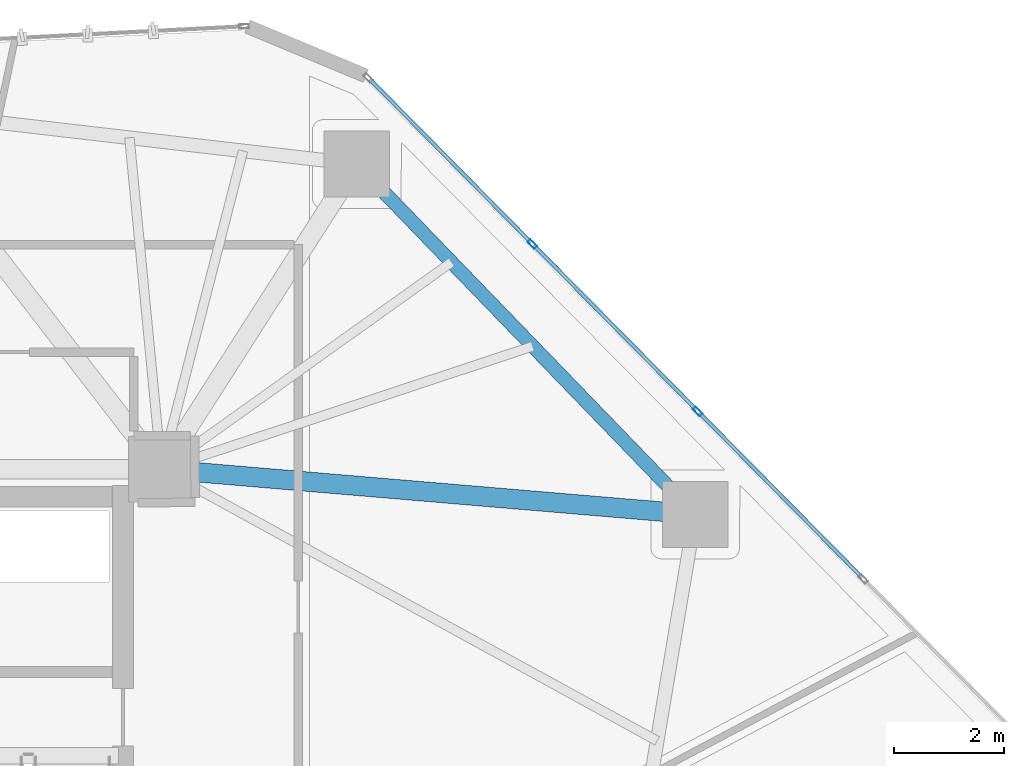
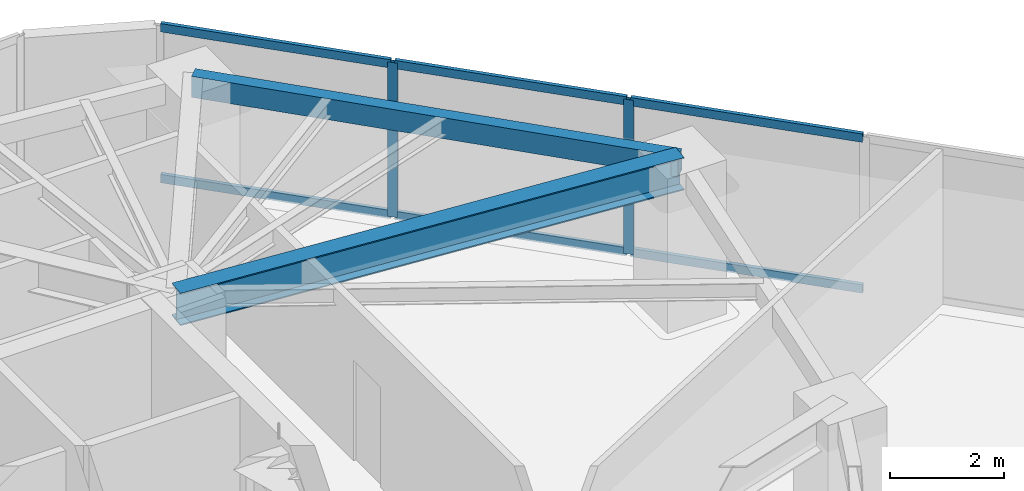
# One storey, part 15 of 23: 8 members, 2 beams, 1 element without a shape of its own.
"""IFC4 building model written with IfcOpenShell, lengths in metres."""

import ifcopenshell
import ifcopenshell.guid

model = None  # the IFC model being written
_history = None  # IfcOwnerHistory: only IFC2X3 demands one
_inside = {}  # id of a spatial element -> (the spatial element, [elements in it])
_under = {}  # id of a project, library or spatial element -> (it, [spatial elements below it])
_declared = {}  # id of a project -> (the project, [libraries it declares])
_typed = {}  # id of a type object -> (the type object, [elements of that type])
_made_of = {}  # id of a material, layer set ... -> (it, [elements and type objects made of it])


def new_model(schema):
    """Start an empty IFC model of exactly this schema.

    Asked for "IFC4X3", IfcOpenShell would pick the latest addendum, in which some entities
    have other attributes; the version numbers below select the first issue.
    IFC2X3 requires an IfcOwnerHistory on every rooted entity: one is made here for all.
    """
    global model, _history
    if schema == "IFC4X3":
        model = ifcopenshell.file(schema_version=(4, 3, 0, 0))
    else:
        model = ifcopenshell.file(schema=schema)
    _inside.clear()
    _under.clear()
    _declared.clear()
    _typed.clear()
    _made_of.clear()
    _history = None
    if model.schema == "IFC2X3":
        org = make("IfcOrganization", Name="unknown")
        user = make(
            "IfcPersonAndOrganization",
            ThePerson=make("IfcPerson", FamilyName="unknown"),
            TheOrganization=org,
        )
        app = make(
            "IfcApplication",
            ApplicationDeveloper=org,
            Version="unknown",
            ApplicationFullName="unknown",
            ApplicationIdentifier="unknown",
        )
        _history = make(
            "IfcOwnerHistory",
            OwningUser=user,
            OwningApplication=app,
            ChangeAction="ADDED",
            CreationDate=0,
        )
    return model


def make(cls, **values):
    """One entity of the class cls with the attributes given. An attribute that is None is left unset."""
    return model.create_entity(
        cls, **{name: value for name, value in values.items() if value is not None}
    )


def rooted(cls, **values):
    """An entity with a GlobalId (a new one), such as an element, a storey or a relation."""
    return make(cls, GlobalId=ifcopenshell.guid.new(), OwnerHistory=_history, **values)


def si_unit(unit_type, name, prefix=None):
    """IfcSIUnit, for example si_unit("LENGTHUNIT", "METRE", prefix="MILLI")."""
    return make("IfcSIUnit", UnitType=unit_type, Prefix=prefix, Name=name)


def assignment(units):
    """IfcUnitAssignment: the units of a project."""
    return None if units is None else make("IfcUnitAssignment", Units=units)


def point(xyz):
    """IfcCartesianPoint."""
    return None if xyz is None else make("IfcCartesianPoint", Coordinates=xyz)


def direction(xyz):
    """IfcDirection."""
    return None if xyz is None else make("IfcDirection", DirectionRatios=xyz)


def frame(location, z_axis=None, x_axis=None):
    """IfcAxis2Placement3D, a coordinate frame: its origin and axes. An axis left out is left unset."""
    return make(
        "IfcAxis2Placement3D",
        Location=point(location),
        Axis=direction(z_axis),
        RefDirection=direction(x_axis),
    )


def frame_2d(location, x_axis=None):
    """IfcAxis2Placement2D, a coordinate frame in the plane: its origin and x axis."""
    return make(
        "IfcAxis2Placement2D", Location=point(location), RefDirection=direction(x_axis)
    )


def origin():
    """The frame at (0, 0, 0) with its axes left unset."""
    return frame((0.0, 0.0, 0.0))


def origin_2d():
    """The frame at (0, 0) in the plane with its x axis left unset."""
    return frame_2d((0.0, 0.0))


def place(relative_to, where):
    """IfcLocalPlacement: puts the frame where relative to a parent placement (None: the world)."""
    return make(
        "IfcLocalPlacement", PlacementRelTo=relative_to, RelativePlacement=where
    )


def context(
    kind, dimensions, precision=None, world=None, true_north=None, identifier=None
):
    """IfcGeometricRepresentationContext, for example the 3D "Model" context."""
    return make(
        "IfcGeometricRepresentationContext",
        ContextIdentifier=identifier,
        ContextType=kind,
        CoordinateSpaceDimension=dimensions,
        Precision=precision,
        WorldCoordinateSystem=world,
        TrueNorth=true_north,
    )


def subcontext(parent, identifier, kind, view, scale=None):
    """IfcGeometricRepresentationSubContext, for example "Body" below "Model"."""
    return make(
        "IfcGeometricRepresentationSubContext",
        ContextIdentifier=identifier,
        ContextType=kind,
        ParentContext=parent,
        TargetScale=scale,
        TargetView=view,
    )


def project(units=None, contexts=None):
    """IfcProject with its units and contexts."""
    return rooted(
        "IfcProject",
        Name="project",
        RepresentationContexts=contexts,
        UnitsInContext=assignment(units),
    )


def spatial(cls, under=None, at=None, **own):
    """A site, building, storey or space (cls), placed at a placement, below another one or the project."""
    s = rooted(cls, ObjectPlacement=at, **own)
    if under is not None:
        _under.setdefault(under.id(), (under, []))[1].append(s)
    return s


def profile(cls, at=None, kind="AREA", **sizes):
    """A parametric profile (cls). Its sizes go by their IFC names, for example OverallWidth=200.0."""
    return make(cls, ProfileType=kind, Position=at, **sizes)


def hollow_rectangle(**sizes):
    """IfcRectangleHollowProfileDef."""
    return profile("IfcRectangleHollowProfileDef", **sizes)


def i_section(**sizes):
    """IfcIShapeProfileDef."""
    return profile("IfcIShapeProfileDef", **sizes)


def extrude(swept, where, along, depth):
    """IfcExtrudedAreaSolid: the profile swept, set in the frame where, extruded along a direction by depth."""
    return make(
        "IfcExtrudedAreaSolid",
        SweptArea=swept,
        Position=where,
        ExtrudedDirection=direction(along),
        Depth=depth,
    )


def shape(context_of_items, identifier, shape_type, items):
    """IfcShapeRepresentation: the items that make up one representation, for example the "Body"."""
    return make(
        "IfcShapeRepresentation",
        ContextOfItems=context_of_items,
        RepresentationIdentifier=identifier,
        RepresentationType=shape_type,
        Items=items,
    )


def source(mapping_origin, context_of_items, identifier, shape_type, items):
    """IfcRepresentationMap: a shape defined once, which mapped items show again and again."""
    return make(
        "IfcRepresentationMap",
        MappingOrigin=mapping_origin,
        MappedRepresentation=shape(context_of_items, identifier, shape_type, items),
    )


def transform(
    local_origin,
    x_axis=None,
    y_axis=None,
    z_axis=None,
    scale=None,
    scale2=None,
    scale3=None,
    uniform=True,
):
    """IfcCartesianTransformationOperator3D, or its non-uniform kind. x_axis, y_axis, z_axis: its Axis1, 2, 3."""
    if uniform:
        return make(
            "IfcCartesianTransformationOperator3D",
            Axis1=direction(x_axis),
            Axis2=direction(y_axis),
            LocalOrigin=point(local_origin),
            Scale=scale,
            Axis3=direction(z_axis),
        )
    return make(
        "IfcCartesianTransformationOperator3DnonUniform",
        Axis1=direction(x_axis),
        Axis2=direction(y_axis),
        LocalOrigin=point(local_origin),
        Scale=scale,
        Axis3=direction(z_axis),
        Scale2=scale2,
        Scale3=scale3,
    )


def mapped(mapping_source, mapping_target):
    """IfcMappedItem: shows the shape of a source again, moved by a transform."""
    return make(
        "IfcMappedItem", MappingSource=mapping_source, MappingTarget=mapping_target
    )


def material(Name=None, Category=None):
    """IfcMaterial."""
    return make("IfcMaterial", Name=Name, Category=Category)


def layer(
    of_material, thickness, ventilated=None, Name=None, Category=None, Priority=None
):
    """IfcMaterialLayer: one layer of a wall or slab, of a material (None: an air gap)."""
    return make(
        "IfcMaterialLayer",
        Material=of_material,
        LayerThickness=thickness,
        IsVentilated=ventilated,
        Name=Name,
        Category=Category,
        Priority=Priority,
    )


def layer_set(layers, Name=None):
    """IfcMaterialLayerSet."""
    return make("IfcMaterialLayerSet", MaterialLayers=layers, LayerSetName=Name)


def material_profile(
    of_material, cross_section, Name=None, Category=None, Priority=None
):
    """IfcMaterialProfile: a cross section and its material."""
    return make(
        "IfcMaterialProfile",
        Name=Name,
        Material=of_material,
        Profile=cross_section,
        Priority=Priority,
        Category=Category,
    )


def profile_set(profiles, Name=None, composite=None):
    """IfcMaterialProfileSet."""
    return make(
        "IfcMaterialProfileSet",
        Name=Name,
        MaterialProfiles=profiles,
        CompositeProfile=composite,
    )


def made_of(thing, what):
    """Note that an element or type object is made of a material, layer set ...; save() writes the relation."""
    if what is not None:
        _made_of.setdefault(what.id(), (what, []))[1].append(thing)
    return thing


def type_object(cls, material=None, **own):
    """A type object (cls), such as IfcWallType, which elements share."""
    return made_of(rooted(cls, **own), material)


def type_shapes(of_type, sources):
    """Give a type object the sources (RepresentationMaps) that its elements show as mapped items."""
    of_type.RepresentationMaps = sources


def element(
    cls,
    number,
    at=None,
    inside=None,
    cuts=None,
    type_object=None,
    material=None,
    context=None,
    identifier="Body",
    shape_type=None,
    held_by="IfcProductDefinitionShape",
    body=None,
    shapes=None,
    **own,
):
    """One element of the class cls, such as IfcWall. Its Tag is "e" and its number.

    at: its placement. inside: the storey or other place that contains it. cuts: it is an
    opening in that element (IfcRelVoidsElement). A single representation is given by context,
    identifier, shape_type and body (its items); several are given by shapes. held_by: the class
    of the entity that holds the representations. save() writes the other relations.
    """
    e = rooted(cls, Tag="e%d" % number, ObjectPlacement=at, **own)
    if body is not None:
        shapes = [shape(context, identifier, shape_type, body)]
    if shapes is not None:
        e.Representation = make(held_by, Representations=shapes)
    if inside is not None:
        _inside.setdefault(inside.id(), (inside, []))[1].append(e)
    if cuts is not None:
        rooted(
            "IfcRelVoidsElement", RelatingBuildingElement=cuts, RelatedOpeningElement=e
        )
    if type_object is not None:
        _typed.setdefault(type_object.id(), (type_object, []))[1].append(e)
    return made_of(e, material)


def aggregate(whole, parts):
    """IfcRelAggregates: a whole, such as a stair, and the parts it consists of."""
    return rooted("IfcRelAggregates", RelatingObject=whole, RelatedObjects=parts)


def save(model, path):
    """Write the relations noted so far, then the file.

    IfcRelAggregates (storeys below a building ...), IfcRelContainedInSpatialStructure (elements
    in a storey), IfcRelDefinesByType, IfcRelAssociatesMaterial and IfcRelDeclares: one each for
    every whole, place, type object, material and project.
    """
    for whole, parts in _under.values():
        aggregate(whole, parts)
    for where, things in _inside.values():
        rooted(
            "IfcRelContainedInSpatialStructure",
            RelatedElements=things,
            RelatingStructure=where,
        )
    for kind, things in _typed.values():
        rooted("IfcRelDefinesByType", RelatedObjects=things, RelatingType=kind)
    for what, things in _made_of.values():
        rooted("IfcRelAssociatesMaterial", RelatedObjects=things, RelatingMaterial=what)
    for by, libraries in _declared.values():
        rooted("IfcRelDeclares", RelatingContext=by, RelatedDefinitions=libraries)
    model.write(path)


model = new_model("IFC4")

# Units and contexts
model_context = context("Model", 3, precision=1e-05, world=origin(), true_north=direction((0.0, 1.0)))
body_context = subcontext(model_context, "Body", "Model", "MODEL_VIEW")
ifc_project = project(units=[si_unit("LENGTHUNIT", "METRE"), si_unit("AREAUNIT", "SQUARE_METRE"), si_unit("VOLUMEUNIT", "CUBIC_METRE"), si_unit("PLANEANGLEUNIT", "RADIAN"), si_unit("MASSUNIT", "GRAM", prefix="KILO")], contexts=[model_context])

# Site, building, storey
site_placement = place(None, origin())
site = spatial("IfcSite", under=ifc_project, at=site_placement, CompositionType="ELEMENT")
building_placement = place(site_placement, origin())
building = spatial("IfcBuilding", under=site, at=building_placement, Name="Talar Marvaseh", CompositionType="ELEMENT")
storey_placement = place(building_placement, frame((0.0, 0.0, 100.199951171875)))
storey = spatial("IfcBuildingStorey", under=building, at=storey_placement, Name="L25", CompositionType="ELEMENT", Elevation=100.199951171875)

# Beams
ifc_material_1 = material(Name="Steel S355", Category="steel")
ifc_material_profile_1 = material_profile(ifc_material_1, hollow_rectangle(XDim=0.25, YDim=0.449951171875, WallThickness=0.01611328125, at=origin_2d()), Name="RHS450x250x16")
ifc_profile_set_1 = profile_set([ifc_material_profile_1], Name="Steel S355")
beam_type_1 = type_object("IfcBeamType", Name="Zone 2 Perimeter Spandrel Beam RHS450x250x16", PredefinedType="SPANDREL", material=ifc_profile_set_1)
beam_1_placement = place(storey_placement, frame((36.865966796875, 42.470947265625, 3.0849609375), z_axis=(0.694796856243, -0.719206040405, 0.0), x_axis=(0.719206040405, 0.694796856243, 0.0)))
element("IfcBeam", 1, at=beam_1_placement, inside=storey, type_object=beam_type_1, Name="L25 Zone 2 Perimeter Spandrel Beam RHS450x250x16", PredefinedType="SPANDREL", context=body_context, shape_type="SweptSolid", body=[
    extrude(hollow_rectangle(XDim=0.25, YDim=0.449951171875, WallThickness=0.01611328125, at=origin_2d()), origin(), (0.0, 0.0, 1.0), 8.891845703125),
])
ifc_material_profile_2 = material_profile(ifc_material_1, i_section(OverallWidth=0.35498046875, OverallDepth=0.695068359375, WebThickness=0.015380859375, FlangeThickness=0.02490234375, at=origin_2d()), Name="W690x217")
ifc_profile_set_2 = profile_set([ifc_material_profile_2], Name="Steel S355")
beam_type_2 = type_object("IfcBeamType", Name="Zone 2 Radial Floor Girder W690x217", PredefinedType="BEAM", material=ifc_profile_set_2)
beam_2_placement = place(storey_placement, frame((43.0439453125, 36.075927734375, 2.962646484375), z_axis=(-0.996443598923, 0.084262412527, 0.0), x_axis=(-0.084262412527, -0.996443598923, 0.0)))
element("IfcBeam", 2, at=beam_2_placement, inside=storey, type_object=beam_type_2, Name="L25 Zone 2 Radial Floor Girder W690x217", PredefinedType="BEAM", context=body_context, shape_type="SweptSolid", body=[
    extrude(i_section(OverallWidth=0.35498046875, OverallDepth=0.695068359375, WebThickness=0.015380859375, FlangeThickness=0.02490234375, at=origin_2d()), origin(), (0.0, 0.0, 1.0), 9.778564453125),
])

# Curtain wall, members
ifc_material_2 = material(Name="Architectural Aluminium", Category="aluminium")
ifc_layer = layer(ifc_material_2, 0.199951171875)
ifc_layer_set = layer_set([ifc_layer], Name="Architectural Aluminium")
curtain_wall_type = type_object("IfcCurtainWallType", Name="Unitised Acoustic Library Curtain Wall Z2", PredefinedType="NOTDEFINED", material=ifc_layer_set)
curtain_wall_placement = place(storey_placement, origin())
curtain_wall = element("IfcCurtainWall", 3, at=curtain_wall_placement, inside=storey, type_object=curtain_wall_type, Name="L25 Unitised Acoustic Library Curtain Wall Z2", PredefinedType="NOTDEFINED")
ifc_material_profile_3 = material_profile(ifc_material_2, hollow_rectangle(XDim=0.074951171875, YDim=0.179931640625, WallThickness=0.0048828125, at=origin_2d()), Name="RHS180x75x5")
ifc_profile_set_3 = profile_set([ifc_material_profile_3], Name="Architectural Aluminium")
member_type_1 = type_object("IfcMemberType", Name="Unitised Curtain Wall Standard Mullion RHS180x75x5", PredefinedType="MULLION", material=ifc_profile_set_3)
shared_shape_1 = source(origin(), body_context, "Body", "SweptSolid", [
    extrude(hollow_rectangle(XDim=0.074951171875, YDim=0.179931640625, WallThickness=0.0048828125, at=origin_2d()), origin(), (0.0, 0.0, 1.0), 3.31005859375),
])
type_shapes(member_type_1, [shared_shape_1])
member_1_placement = place(storey_placement, frame((40.072998046875, 41.011962890625, 0.0), z_axis=(0.0, 0.0, 1.0), x_axis=(0.711366317879, 0.702821429517, 0.0)))
member_1 = element("IfcMember", 4, at=member_1_placement, type_object=member_type_1, Name="CW-Z2 mullion 2", PredefinedType="MULLION", context=body_context, shape_type="MappedRepresentation", body=[
    mapped(shared_shape_1, transform((0.0, 0.0, 0.0), x_axis=(1.0, 0.0, 0.0), y_axis=(0.0, 1.0, 0.0), z_axis=(0.0, 0.0, 1.0), scale=1.0)),
])
member_2_placement = place(storey_placement, frame((43.093505859375, 37.95458984375, 0.0), z_axis=(0.0, 0.0, 1.0), x_axis=(0.711366317879, 0.702821429517, 0.0)))
member_2 = element("IfcMember", 5, at=member_2_placement, type_object=member_type_1, Name="CW-Z2 mullion 3", PredefinedType="MULLION", context=body_context, shape_type="MappedRepresentation", body=[
    mapped(shared_shape_1, transform((0.0, 0.0, 0.0), x_axis=(1.0, 0.0, 0.0), y_axis=(0.0, 1.0, 0.0), z_axis=(0.0, 0.0, 1.0), scale=1.0)),
])
ifc_material_profile_4 = material_profile(ifc_material_2, hollow_rectangle(XDim=0.074951171875, YDim=0.179931640625, WallThickness=0.0048828125, at=origin_2d()), Name="RHS180x75x5")
ifc_profile_set_4 = profile_set([ifc_material_profile_4], Name="Architectural Aluminium")
member_type_2 = type_object("IfcMemberType", Name="Unitised Curtain Wall Transom RHS180x75x5", PredefinedType="USERDEFINED", material=ifc_profile_set_4)
shared_shape_2 = source(origin(), body_context, "Body", "SweptSolid", [
    extrude(hollow_rectangle(XDim=0.074951171875, YDim=0.179931640625, WallThickness=0.0048828125, at=origin_2d()), origin(), (0.0, 0.0, 1.0), 4.185302734375),
])
member_3_placement = place(storey_placement, frame((37.10498046875, 44.015869140625, 0.03759765625), z_axis=(0.702835763053, -0.711352156231, 0.0), x_axis=(0.711352156231, 0.702835763053, 0.0)))
member_3 = element("IfcMember", 6, at=member_3_placement, type_object=member_type_2, Name="CW-Z2 transom 1.1", ObjectType="TRANSOM", PredefinedType="USERDEFINED", context=body_context, shape_type="MappedRepresentation", body=[
    mapped(shared_shape_2, transform((0.0, 0.0, 0.0), x_axis=(1.0, 0.0, 0.0), y_axis=(0.0, 1.0, 0.0), z_axis=(0.0, 0.0, 1.0), scale=1.0)),
])
member_4_placement = place(storey_placement, frame((37.10498046875, 44.015869140625, 3.2724609375), z_axis=(0.702835763053, -0.711352156231, 0.0), x_axis=(0.711352156231, 0.702835763053, 0.0)))
member_4 = element("IfcMember", 7, at=member_4_placement, type_object=member_type_2, Name="CW-Z2 transom 1.2", ObjectType="TRANSOM", PredefinedType="USERDEFINED", context=body_context, shape_type="MappedRepresentation", body=[
    mapped(shared_shape_2, transform((0.0, 0.0, 0.0), x_axis=(1.0, 0.0, 0.0), y_axis=(0.0, 1.0, 0.0), z_axis=(0.0, 0.0, 1.0), scale=1.0)),
])
shared_shape_3 = source(origin(), body_context, "Body", "SweptSolid", [
    extrude(hollow_rectangle(XDim=0.074951171875, YDim=0.179931640625, WallThickness=0.0048828125, at=origin_2d()), origin(), (0.0, 0.0, 1.0), 4.22314453125),
])
member_5_placement = place(storey_placement, frame((43.119873046875, 37.927978515625, 0.03759765625), z_axis=(0.702815780378, -0.711371899116, 0.0), x_axis=(0.711371899116, 0.702815780378, 0.0)))
member_5 = element("IfcMember", 8, at=member_5_placement, type_object=member_type_2, Name="CW-Z2 transom 3.1", ObjectType="TRANSOM", PredefinedType="USERDEFINED", context=body_context, shape_type="MappedRepresentation", body=[
    mapped(shared_shape_3, transform((0.0, 0.0, 0.0), x_axis=(1.0, 0.0, 0.0), y_axis=(0.0, 1.0, 0.0), z_axis=(0.0, 0.0, 1.0), scale=1.0)),
])
member_6_placement = place(storey_placement, frame((43.119873046875, 37.927978515625, 3.2724609375), z_axis=(0.702815780378, -0.711371899116, 0.0), x_axis=(0.711371899116, 0.702815780378, 0.0)))
member_6 = element("IfcMember", 9, at=member_6_placement, type_object=member_type_2, Name="CW-Z2 transom 3.2", ObjectType="TRANSOM", PredefinedType="USERDEFINED", context=body_context, shape_type="MappedRepresentation", body=[
    mapped(shared_shape_3, transform((0.0, 0.0, 0.0), x_axis=(1.0, 0.0, 0.0), y_axis=(0.0, 1.0, 0.0), z_axis=(0.0, 0.0, 1.0), scale=1.0)),
])
shared_shape_4 = source(origin(), body_context, "Body", "SweptSolid", [
    extrude(hollow_rectangle(XDim=0.074951171875, YDim=0.179931640625, WallThickness=0.0048828125, at=origin_2d()), origin(), (0.0, 0.0, 1.0), 4.222900390625),
])
type_shapes(member_type_2, [shared_shape_2, shared_shape_3, shared_shape_4])
member_7_placement = place(storey_placement, frame((40.099365234375, 40.9853515625, 0.03759765625), z_axis=(0.702786523029, -0.711400803379, 0.0), x_axis=(0.711400803379, 0.702786523029, 0.0)))
member_7 = element("IfcMember", 10, at=member_7_placement, type_object=member_type_2, Name="CW-Z2 transom 2.1", ObjectType="TRANSOM", PredefinedType="USERDEFINED", context=body_context, shape_type="MappedRepresentation", body=[
    mapped(shared_shape_4, transform((0.0, 0.0, 0.0), x_axis=(1.0, 0.0, 0.0), y_axis=(0.0, 1.0, 0.0), z_axis=(0.0, 0.0, 1.0), scale=1.0)),
])
member_8_placement = place(storey_placement, frame((40.099365234375, 40.9853515625, 3.2724609375), z_axis=(0.702786523029, -0.711400803379, 0.0), x_axis=(0.711400803379, 0.702786523029, 0.0)))
member_8 = element("IfcMember", 11, at=member_8_placement, type_object=member_type_2, Name="CW-Z2 transom 2.2", ObjectType="TRANSOM", PredefinedType="USERDEFINED", context=body_context, shape_type="MappedRepresentation", body=[
    mapped(shared_shape_4, transform((0.0, 0.0, 0.0), x_axis=(1.0, 0.0, 0.0), y_axis=(0.0, 1.0, 0.0), z_axis=(0.0, 0.0, 1.0), scale=1.0)),
])
aggregate(curtain_wall, [member_1, member_2, member_3, member_4, member_7, member_8, member_5, member_6])

save(model, "model.ifc")
